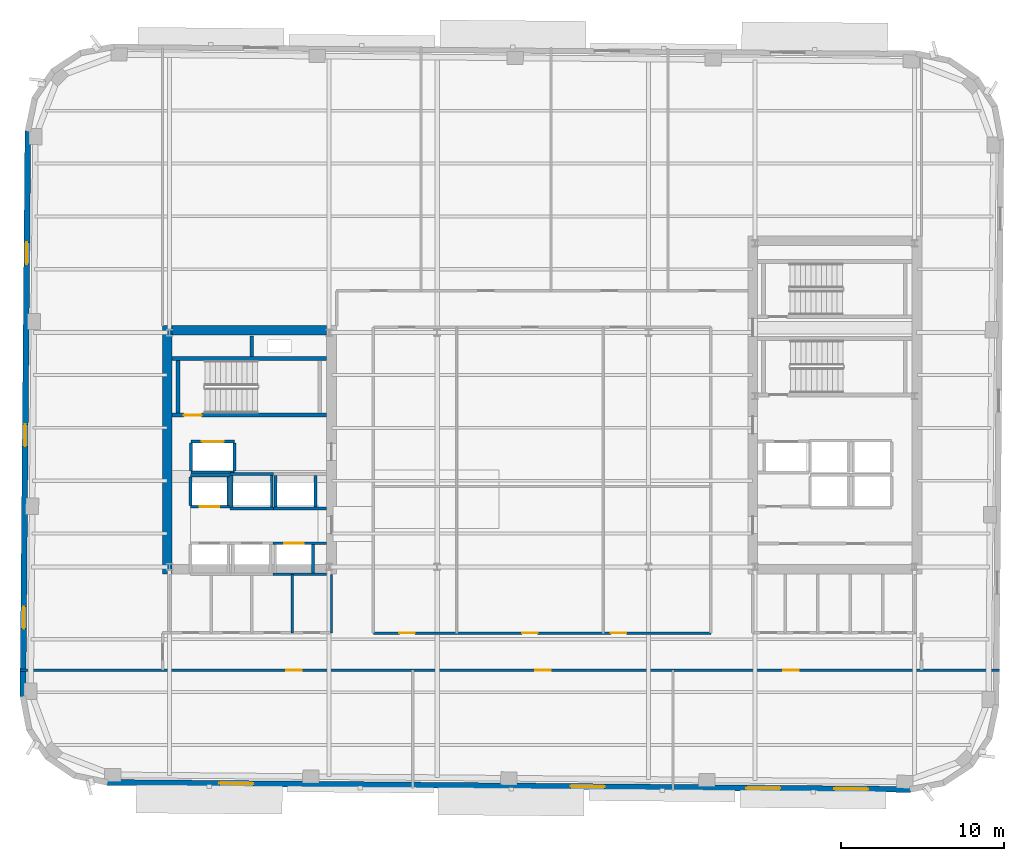
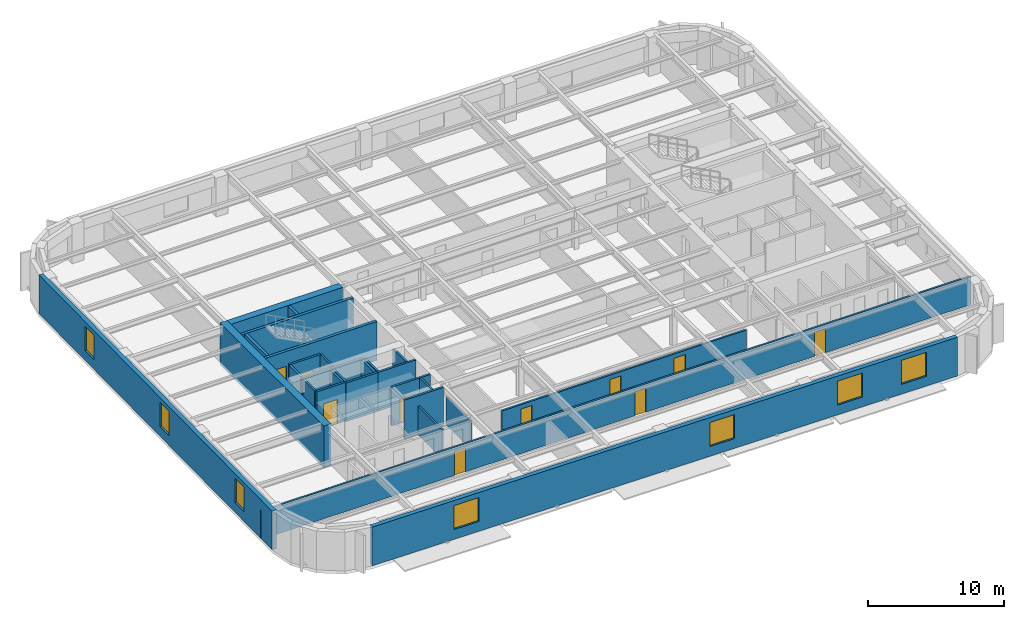
# One storey, part 4 of 12: 30 walls, 10 doors, 7 windows, 17 openings.
"""IFC4 building model written with IfcOpenShell, lengths in metres."""

from ifc_helpers import new_model, si_unit, direction, frame, frame_2d, origin, place, context, subcontext, project, spatial, rectangle, extrude, material, layer, layer_set, type_object, element, fill, save


model = new_model("IFC4")

# Units and contexts
model_context = context("Model", 3, precision=1e-05, world=origin(), true_north=direction((0.0, 1.0)))
body_context = subcontext(model_context, "Body", "Model", "MODEL_VIEW")
ifc_project = project(units=[si_unit("LENGTHUNIT", "METRE"), si_unit("AREAUNIT", "SQUARE_METRE"), si_unit("VOLUMEUNIT", "CUBIC_METRE"), si_unit("PLANEANGLEUNIT", "RADIAN"), si_unit("MASSUNIT", "GRAM", prefix="KILO")], contexts=[model_context])

# Site, building, storey
site_placement = place(None, origin())
site = spatial("IfcSite", under=ifc_project, at=site_placement, CompositionType="ELEMENT")
building_placement = place(site_placement, origin())
building = spatial("IfcBuilding", under=site, at=building_placement, Name="Kolvaren Arena Tower", CompositionType="ELEMENT")
storey_placement = place(building_placement, frame((0.0, 0.0, 188.449951171875)))
storey = spatial("IfcBuildingStorey", under=building, at=storey_placement, Name="L45", CompositionType="ELEMENT", Elevation=188.449951171875)

# Wall, openings, doors
ifc_material_1 = material(Name="Gypsum board acoustic assembly", Category="gypsum")
ifc_layer_1 = layer(ifc_material_1, 0.159912109375)
ifc_layer_set_1 = layer_set([ifc_layer_1], Name="Gypsum board acoustic assembly")
wall_type_1 = type_object("IfcWallType", Name="CORR-160", PredefinedType="PARTITIONING", material=ifc_layer_set_1)
wall_1_placement = place(storey_placement, frame((5.363525390625, 13.10009765625, 0.0), z_axis=(0.0, 0.0, 1.0), x_axis=(1.0, 0.0, 0.0)))
wall_1 = element("IfcWall", 1, at=wall_1_placement, inside=storey, type_object=wall_type_1, Name="Interior Partition Wall (L45)", PredefinedType="PARTITIONING", context=body_context, shape_type="SweptSolid", body=[
    extrude(rectangle(XDim=60.202392578125, YDim=0.159912109375, at=frame_2d((30.10107421875, 0.0))), origin(), (0.0, 0.0, 1.0), 2.5400390625),
])
opening_1_placement = place(wall_1_placement, frame((16.361328125, 0.0, 0.0)))
opening_1 = element("IfcOpeningElement", 2, at=opening_1_placement, cuts=wall_1, Name="Opening D05", PredefinedType="OPENING", context=body_context, shape_type="SweptSolid", body=[
    extrude(rectangle(XDim=0.949951171875, YDim=2.14990234375, at=frame_2d((0.47509765625, 1.074951171875))), frame((0.0, 0.08984375, 0.0), z_axis=(0.0, -1.0, 0.0), x_axis=(1.0, 0.0, 0.0)), (0.0, 0.0, 1.0), 0.179931640625),
])
opening_2_placement = place(wall_1_placement, frame((31.661376953125, 0.0, 0.0)))
opening_2 = element("IfcOpeningElement", 3, at=opening_2_placement, cuts=wall_1, Name="Opening D05", PredefinedType="OPENING", context=body_context, shape_type="SweptSolid", body=[
    extrude(rectangle(XDim=0.949951171875, YDim=2.14990234375, at=frame_2d((0.47509765625, 1.074951171875))), frame((0.0, 0.08984375, 0.0), z_axis=(0.0, -1.0, 0.0), x_axis=(1.0, 0.0, 0.0)), (0.0, 0.0, 1.0), 0.179931640625),
])
opening_3_placement = place(wall_1_placement, frame((46.911376953125, 0.0, 0.0)))
opening_3 = element("IfcOpeningElement", 4, at=opening_3_placement, cuts=wall_1, Name="Opening D05", PredefinedType="OPENING", context=body_context, shape_type="SweptSolid", body=[
    extrude(rectangle(XDim=0.949951171875, YDim=2.14990234375, at=frame_2d((0.47509765625, 1.074951171875))), frame((0.0, 0.08984375, 0.0), z_axis=(0.0, -1.0, 0.0), x_axis=(1.0, 0.0, 0.0)), (0.0, 0.0, 1.0), 0.179931640625),
])
ifc_material_2 = material(Name="Solid-core oak acoustic office door", Category="wood")
door_type_1 = type_object("IfcDoorType", Name="DOOR-OF-095", OperationType="NOTDEFINED", PredefinedType="DOOR", material=ifc_material_2)
door_1_placement = place(opening_1_placement, origin())
door_1 = element("IfcDoor", 5, at=door_1_placement, inside=storey, type_object=door_type_1, Name="Collaborative Work Studio Door (L45)", OperationType="SINGLE_SWING_LEFT", OverallHeight=2.14990234375, OverallWidth=0.949951171875, PredefinedType="DOOR", context=body_context, shape_type="SweptSolid", body=[
    extrude(rectangle(XDim=0.949951171875, YDim=2.14990234375, at=frame_2d((0.47509765625, 1.074951171875))), frame((0.0, 0.02490234375, 0.0), z_axis=(0.0, -1.0, 0.0), x_axis=(1.0, 0.0, 0.0)), (0.0, 0.0, 1.0), 0.050048828125),
])
fill(opening_1, door_1)
door_2_placement = place(opening_2_placement, origin())
door_2 = element("IfcDoor", 6, at=door_2_placement, inside=storey, type_object=door_type_1, Name="Collaborative Work Studio Door (L45)", OperationType="SINGLE_SWING_RIGHT", OverallHeight=2.14990234375, OverallWidth=0.949951171875, PredefinedType="DOOR", context=body_context, shape_type="SweptSolid", body=[
    extrude(rectangle(XDim=0.949951171875, YDim=2.14990234375, at=frame_2d((0.47509765625, 1.074951171875))), frame((0.0, 0.02490234375, 0.0), z_axis=(0.0, -1.0, 0.0), x_axis=(1.0, 0.0, 0.0)), (0.0, 0.0, 1.0), 0.050048828125),
])
fill(opening_2, door_2)
door_3_placement = place(opening_3_placement, origin())
door_3 = element("IfcDoor", 7, at=door_3_placement, inside=storey, type_object=door_type_1, Name="Wellness Room Door (L45)", OperationType="SINGLE_SWING_LEFT", OverallHeight=2.14990234375, OverallWidth=0.949951171875, PredefinedType="DOOR", context=body_context, shape_type="SweptSolid", body=[
    extrude(rectangle(XDim=0.949951171875, YDim=2.14990234375, at=frame_2d((0.47509765625, 1.074951171875))), frame((0.0, 0.02490234375, 0.0), z_axis=(0.0, -1.0, 0.0), x_axis=(1.0, 0.0, 0.0)), (0.0, 0.0, 1.0), 0.050048828125),
])
fill(opening_3, door_3)

wall_2_placement = place(storey_placement, frame((27.080078125, 15.3798828125, 0.0), z_axis=(0.0, 0.0, 1.0), x_axis=(1.0, 0.0, 0.0)))
wall_2 = element("IfcWall", 8, at=wall_2_placement, inside=storey, type_object=wall_type_1, Name="Interior Partition Wall (L45)", PredefinedType="PARTITIONING", context=body_context, shape_type="SweptSolid", body=[
    extrude(rectangle(XDim=20.739990234375, YDim=0.159912109375, at=frame_2d((10.3701171875, 0.0))), origin(), (0.0, 0.0, 1.0), 2.5400390625),
])
opening_4_placement = place(wall_2_placement, frame((1.594970703125, 0.0, 0.0)))
opening_4 = element("IfcOpeningElement", 9, at=opening_4_placement, cuts=wall_2, Name="Opening D05", PredefinedType="OPENING", context=body_context, shape_type="SweptSolid", body=[
    extrude(rectangle(XDim=0.949951171875, YDim=2.14990234375, at=frame_2d((0.47509765625, 1.074951171875))), frame((0.0, 0.08984375, 0.0), z_axis=(0.0, -1.0, 0.0), x_axis=(1.0, 0.0, 0.0)), (0.0, 0.0, 1.0), 0.179931640625),
])
opening_5_placement = place(wall_2_placement, frame((9.14501953125, 0.0, 0.0)))
opening_5 = element("IfcOpeningElement", 10, at=opening_5_placement, cuts=wall_2, Name="Opening D05", PredefinedType="OPENING", context=body_context, shape_type="SweptSolid", body=[
    extrude(rectangle(XDim=0.949951171875, YDim=2.14990234375, at=frame_2d((0.47509765625, 1.074951171875))), frame((0.0, 0.08984375, 0.0), z_axis=(0.0, -1.0, 0.0), x_axis=(1.0, 0.0, 0.0)), (0.0, 0.0, 1.0), 0.179931640625),
])
opening_6_placement = place(wall_2_placement, frame((14.594970703125, 0.0, 0.0)))
opening_6 = element("IfcOpeningElement", 11, at=opening_6_placement, cuts=wall_2, Name="Opening D05", PredefinedType="OPENING", context=body_context, shape_type="SweptSolid", body=[
    extrude(rectangle(XDim=0.949951171875, YDim=2.14990234375, at=frame_2d((0.47509765625, 1.074951171875))), frame((0.0, 0.08984375, 0.0), z_axis=(0.0, -1.0, 0.0), x_axis=(1.0, 0.0, 0.0)), (0.0, 0.0, 1.0), 0.179931640625),
])
door_4_placement = place(opening_4_placement, origin())
door_4 = element("IfcDoor", 12, at=door_4_placement, inside=storey, type_object=door_type_1, Name="Wellness Room Door (L45)", OperationType="SINGLE_SWING_LEFT", OverallHeight=2.14990234375, OverallWidth=0.949951171875, PredefinedType="DOOR", context=body_context, shape_type="SweptSolid", body=[
    extrude(rectangle(XDim=0.949951171875, YDim=2.14990234375, at=frame_2d((0.47509765625, 1.074951171875))), frame((0.0, 0.02490234375, 0.0), z_axis=(0.0, -1.0, 0.0), x_axis=(1.0, 0.0, 0.0)), (0.0, 0.0, 1.0), 0.050048828125),
])
fill(opening_4, door_4)
door_5_placement = place(opening_5_placement, origin())
door_5 = element("IfcDoor", 13, at=door_5_placement, inside=storey, type_object=door_type_1, Name="Boardroom Door (L45)", OperationType="SINGLE_SWING_LEFT", OverallHeight=2.14990234375, OverallWidth=0.949951171875, PredefinedType="DOOR", context=body_context, shape_type="SweptSolid", body=[
    extrude(rectangle(XDim=0.949951171875, YDim=2.14990234375, at=frame_2d((0.47509765625, 1.074951171875))), frame((0.0, 0.02490234375, 0.0), z_axis=(0.0, -1.0, 0.0), x_axis=(1.0, 0.0, 0.0)), (0.0, 0.0, 1.0), 0.050048828125),
])
fill(opening_5, door_5)
door_6_placement = place(opening_6_placement, origin())
door_6 = element("IfcDoor", 14, at=door_6_placement, inside=storey, type_object=door_type_1, Name="Meeting Room Door (L45)", OperationType="SINGLE_SWING_LEFT", OverallHeight=2.14990234375, OverallWidth=0.949951171875, PredefinedType="DOOR", context=body_context, shape_type="SweptSolid", body=[
    extrude(rectangle(XDim=0.949951171875, YDim=2.14990234375, at=frame_2d((0.47509765625, 1.074951171875))), frame((0.0, 0.02490234375, 0.0), z_axis=(0.0, -1.0, 0.0), x_axis=(1.0, 0.0, 0.0)), (0.0, 0.0, 1.0), 0.050048828125),
])
fill(opening_6, door_6)

# Walls
ifc_material_3 = material(Name="Concrete 60 MPa", Category="concrete")
ifc_layer_2 = layer(ifc_material_3, 0.60009765625)
ifc_layer_set_2 = layer_set([ifc_layer_2], Name="Concrete 60 MPa")
wall_type_2 = type_object("IfcWallType", Name="CWALL-600", PredefinedType="SHEAR", material=ifc_layer_set_2)
wall_3_placement = place(storey_placement, frame((14.39990234375, 19.0, -0.27001953125), z_axis=(0.0, 0.0, 1.0), x_axis=(0.0, 1.0, 0.0)))
element("IfcWall", 15, at=wall_3_placement, inside=storey, type_object=wall_type_2, Name="Core Shear Wall WC-WEST (L45)", PredefinedType="SHEAR", context=body_context, shape_type="SweptSolid", body=[
    extrude(rectangle(XDim=15.300048828125, YDim=0.60009765625, at=frame_2d((7.64990234375, 0.0))), origin(), (0.0, 0.0, 1.0), 3.75),
])
wall_4_placement = place(storey_placement, frame((14.699951171875, 34.0, -0.27001953125), z_axis=(0.0, 0.0, 1.0), x_axis=(1.0, 0.0, 0.0)))
element("IfcWall", 16, at=wall_4_placement, inside=storey, type_object=wall_type_2, Name="Core Shear Wall WC-NORTH (L45)", PredefinedType="SHEAR", context=body_context, shape_type="SweptSolid", body=[
    extrude(rectangle(XDim=9.5, YDim=0.60009765625, at=frame_2d((4.75, 0.0))), origin(), (0.0, 0.0, 1.0), 3.75),
])

# Wall, openings, windows
ifc_material_4 = material(Name="Precast concrete C50/60", Category="concrete")
ifc_layer_3 = layer(ifc_material_4, 0.360107421875)
ifc_layer_set_3 = layer_set([ifc_layer_3], Name="Precast concrete C50/60")
wall_type_3 = type_object("IfcWallType", Name="EXT-PIER2", PredefinedType="SOLIDWALL", material=ifc_layer_set_3)
wall_5_placement = place(storey_placement, frame((5.529296875, 11.461669921875, 0.0), z_axis=(0.0, 0.0, 1.0), x_axis=(0.008727287311, 0.999961916503, 0.0)))
wall_5 = element("IfcWall", 17, at=wall_5_placement, inside=storey, type_object=wall_type_3, Name="Exterior Precast Masonry-Frame Wall (L45)", PredefinedType="SOLIDWALL", context=body_context, shape_type="SweptSolid", body=[
    extrude(rectangle(XDim=34.800048828125, YDim=0.360107421875, at=frame_2d((17.39990234375, 0.0))), origin(), (0.0, 0.0, 1.0), 3.47998046875),
])
opening_7_placement = place(wall_5_placement, frame((4.199951171875, 0.0, 0.8798828125)))
opening_7 = element("IfcOpeningElement", 18, at=opening_7_placement, cuts=wall_5, Name="Opening W04", PredefinedType="OPENING", context=body_context, shape_type="SweptSolid", body=[
    extrude(rectangle(XDim=1.35009765625, YDim=2.199951171875, at=frame_2d((0.675048828125, 1.10009765625))), frame((0.0, 0.18994140625, 0.0), z_axis=(0.0, -1.0, 0.0), x_axis=(1.0, 0.0, 0.0)), (0.0, 0.0, 1.0), 0.380126953125),
])
opening_8_placement = place(wall_5_placement, frame((15.39990234375, 0.0, 0.8798828125)))
opening_8 = element("IfcOpeningElement", 19, at=opening_8_placement, cuts=wall_5, Name="Opening W04", PredefinedType="OPENING", context=body_context, shape_type="SweptSolid", body=[
    extrude(rectangle(XDim=1.35009765625, YDim=2.199951171875, at=frame_2d((0.675048828125, 1.10009765625))), frame((0.0, 0.18994140625, 0.0), z_axis=(0.0, -1.0, 0.0), x_axis=(1.0, 0.0, 0.0)), (0.0, 0.0, 1.0), 0.380126953125),
])
opening_9_placement = place(wall_5_placement, frame((26.60009765625, 0.0, 0.8798828125)))
opening_9 = element("IfcOpeningElement", 20, at=opening_9_placement, cuts=wall_5, Name="Opening W04", PredefinedType="OPENING", context=body_context, shape_type="SweptSolid", body=[
    extrude(rectangle(XDim=1.35009765625, YDim=2.199951171875, at=frame_2d((0.675048828125, 1.10009765625))), frame((0.0, 0.18994140625, 0.0), z_axis=(0.0, -1.0, 0.0), x_axis=(1.0, 0.0, 0.0)), (0.0, 0.0, 1.0), 0.380126953125),
])
ifc_material_5 = material(Name="Triple-glazed curved-facet corner window", Category="glass")
window_type_1 = type_object("IfcWindowType", Name="WIN-CRN-A", PartitioningType="SINGLE_PANEL", PredefinedType="WINDOW", material=ifc_material_5)
window_1_placement = place(opening_7_placement, origin())
window_1 = element("IfcWindow", 21, at=window_1_placement, inside=storey, type_object=window_type_1, Name="End-Wall Punched Window (L45)", OverallHeight=2.199951171875, OverallWidth=1.35009765625, PartitioningType="SINGLE_PANEL", PredefinedType="WINDOW", context=body_context, shape_type="SweptSolid", body=[
    extrude(rectangle(XDim=1.35009765625, YDim=2.199951171875, at=frame_2d((0.675048828125, 1.10009765625))), frame((0.0, 0.030029296875, 0.0), z_axis=(0.0, -1.0, 0.0), x_axis=(1.0, 0.0, 0.0)), (0.0, 0.0, 1.0), 0.06005859375),
])
fill(opening_7, window_1)
window_2_placement = place(opening_8_placement, origin())
window_2 = element("IfcWindow", 22, at=window_2_placement, inside=storey, type_object=window_type_1, Name="End-Wall Punched Window (L45)", OverallHeight=2.199951171875, OverallWidth=1.35009765625, PartitioningType="SINGLE_PANEL", PredefinedType="WINDOW", context=body_context, shape_type="SweptSolid", body=[
    extrude(rectangle(XDim=1.35009765625, YDim=2.199951171875, at=frame_2d((0.675048828125, 1.10009765625))), frame((0.0, 0.030029296875, 0.0), z_axis=(0.0, -1.0, 0.0), x_axis=(1.0, 0.0, 0.0)), (0.0, 0.0, 1.0), 0.06005859375),
])
fill(opening_8, window_2)
window_3_placement = place(opening_9_placement, origin())
window_3 = element("IfcWindow", 23, at=window_3_placement, inside=storey, type_object=window_type_1, Name="End-Wall Punched Window (L45)", OverallHeight=2.199951171875, OverallWidth=1.35009765625, PartitioningType="SINGLE_PANEL", PredefinedType="WINDOW", context=body_context, shape_type="SweptSolid", body=[
    extrude(rectangle(XDim=1.35009765625, YDim=2.199951171875, at=frame_2d((0.675048828125, 1.10009765625))), frame((0.0, 0.030029296875, 0.0), z_axis=(0.0, -1.0, 0.0), x_axis=(1.0, 0.0, 0.0)), (0.0, 0.0, 1.0), 0.06005859375),
])
fill(opening_9, window_3)

wall_6_placement = place(storey_placement, frame((60.101806640625, 5.765380859375, 0.0), z_axis=(0.0, 0.0, 1.0), x_axis=(-0.999961955436, 0.008722825272, 0.0)))
wall_6 = element("IfcWall", 24, at=wall_6_placement, inside=storey, type_object=wall_type_3, Name="Exterior Precast Masonry-Frame Wall (L45)", PredefinedType="SOLIDWALL", context=body_context, shape_type="SweptSolid", body=[
    extrude(rectangle(XDim=49.400146484375, YDim=0.360107421875, at=frame_2d((24.7001953125, 0.0))), origin(), (0.0, 0.0, 1.0), 3.47998046875),
])
opening_10_placement = place(wall_6_placement, frame((2.60009765625, 0.0, 0.8798828125)))
opening_10 = element("IfcOpeningElement", 25, at=opening_10_placement, cuts=wall_6, Name="Opening W01", PredefinedType="OPENING", context=body_context, shape_type="SweptSolid", body=[
    extrude(rectangle(XDim=2.10009765625, YDim=2.14990234375, at=frame_2d((1.050048828125, 1.074951171875))), frame((0.0, 0.18994140625, 0.0), z_axis=(0.0, -1.0, 0.0), x_axis=(1.0, 0.0, 0.0)), (0.0, 0.0, 1.0), 0.380126953125),
])
opening_11_placement = place(wall_6_placement, frame((8.0, 0.0, 0.8798828125)))
opening_11 = element("IfcOpeningElement", 26, at=opening_11_placement, cuts=wall_6, Name="Opening W01", PredefinedType="OPENING", context=body_context, shape_type="SweptSolid", body=[
    extrude(rectangle(XDim=2.10009765625, YDim=2.14990234375, at=frame_2d((1.050048828125, 1.074951171875))), frame((0.0, 0.18994140625, 0.0), z_axis=(0.0, -1.0, 0.0), x_axis=(1.0, 0.0, 0.0)), (0.0, 0.0, 1.0), 0.380126953125),
])
opening_12_placement = place(wall_6_placement, frame((18.800048828125, 0.0, 0.8798828125)))
opening_12 = element("IfcOpeningElement", 27, at=opening_12_placement, cuts=wall_6, Name="Opening W01", PredefinedType="OPENING", context=body_context, shape_type="SweptSolid", body=[
    extrude(rectangle(XDim=2.10009765625, YDim=2.14990234375, at=frame_2d((1.050048828125, 1.074951171875))), frame((0.0, 0.18994140625, 0.0), z_axis=(0.0, -1.0, 0.0), x_axis=(1.0, 0.0, 0.0)), (0.0, 0.0, 1.0), 0.380126953125),
])
opening_13_placement = place(wall_6_placement, frame((40.39990234375, 0.0, 0.8798828125)))
opening_13 = element("IfcOpeningElement", 28, at=opening_13_placement, cuts=wall_6, Name="Opening W01", PredefinedType="OPENING", context=body_context, shape_type="SweptSolid", body=[
    extrude(rectangle(XDim=2.10009765625, YDim=2.14990234375, at=frame_2d((1.050048828125, 1.074951171875))), frame((0.0, 0.18994140625, 0.0), z_axis=(0.0, -1.0, 0.0), x_axis=(1.0, 0.0, 0.0)), (0.0, 0.0, 1.0), 0.380126953125),
])
ifc_material_6 = material(Name="Triple-glazed low-E aluminium window", Category="aluminium")
window_type_2 = type_object("IfcWindowType", Name="WIN-OFF-A", PartitioningType="DOUBLE_PANEL_VERTICAL", PredefinedType="WINDOW", material=ifc_material_6)
window_4_placement = place(opening_10_placement, origin())
window_4 = element("IfcWindow", 29, at=window_4_placement, inside=storey, type_object=window_type_2, Name="Punched Precast-Pier Window (L45)", OverallHeight=2.14990234375, OverallWidth=2.10009765625, PartitioningType="DOUBLE_PANEL_VERTICAL", PredefinedType="WINDOW", context=body_context, shape_type="SweptSolid", body=[
    extrude(rectangle(XDim=2.10009765625, YDim=2.14990234375, at=frame_2d((1.050048828125, 1.074951171875))), frame((0.0, 0.030029296875, 0.0), z_axis=(0.0, -1.0, 0.0), x_axis=(1.0, 0.0, 0.0)), (0.0, 0.0, 1.0), 0.06005859375),
])
fill(opening_10, window_4)
window_5_placement = place(opening_11_placement, origin())
window_5 = element("IfcWindow", 30, at=window_5_placement, inside=storey, type_object=window_type_2, Name="Punched Precast-Pier Window (L45)", OverallHeight=2.14990234375, OverallWidth=2.10009765625, PartitioningType="DOUBLE_PANEL_VERTICAL", PredefinedType="WINDOW", context=body_context, shape_type="SweptSolid", body=[
    extrude(rectangle(XDim=2.10009765625, YDim=2.14990234375, at=frame_2d((1.050048828125, 1.074951171875))), frame((0.0, 0.030029296875, 0.0), z_axis=(0.0, -1.0, 0.0), x_axis=(1.0, 0.0, 0.0)), (0.0, 0.0, 1.0), 0.06005859375),
])
fill(opening_11, window_5)
window_6_placement = place(opening_12_placement, origin())
window_6 = element("IfcWindow", 31, at=window_6_placement, inside=storey, type_object=window_type_2, Name="Punched Precast-Pier Window (L45)", OverallHeight=2.14990234375, OverallWidth=2.10009765625, PartitioningType="DOUBLE_PANEL_VERTICAL", PredefinedType="WINDOW", context=body_context, shape_type="SweptSolid", body=[
    extrude(rectangle(XDim=2.10009765625, YDim=2.14990234375, at=frame_2d((1.050048828125, 1.074951171875))), frame((0.0, 0.030029296875, 0.0), z_axis=(0.0, -1.0, 0.0), x_axis=(1.0, 0.0, 0.0)), (0.0, 0.0, 1.0), 0.06005859375),
])
fill(opening_12, window_6)
window_7_placement = place(opening_13_placement, origin())
window_7 = element("IfcWindow", 32, at=window_7_placement, inside=storey, type_object=window_type_2, Name="Punched Precast-Pier Window (L45)", OverallHeight=2.14990234375, OverallWidth=2.10009765625, PartitioningType="DOUBLE_PANEL_VERTICAL", PredefinedType="WINDOW", context=body_context, shape_type="SweptSolid", body=[
    extrude(rectangle(XDim=2.10009765625, YDim=2.14990234375, at=frame_2d((1.050048828125, 1.074951171875))), frame((0.0, 0.030029296875, 0.0), z_axis=(0.0, -1.0, 0.0), x_axis=(1.0, 0.0, 0.0)), (0.0, 0.0, 1.0), 0.06005859375),
])
fill(opening_13, window_7)

# Wall, opening, door
ifc_material_7 = material(Name="Concrete 45 MPa", Category="concrete")
ifc_layer_4 = layer(ifc_material_7, 0.25)
ifc_layer_set_4 = layer_set([ifc_layer_4], Name="Concrete 45 MPa")
wall_type_4 = type_object("IfcWallType", Name="SHAFT-250", PredefinedType="SOLIDWALL", material=ifc_layer_set_4)
wall_7_placement = place(storey_placement, frame((24.199951171875, 28.780029296875, 0.0), z_axis=(0.0, 0.0, 1.0), x_axis=(-1.0, 0.0, 0.0)))
wall_7 = element("IfcWall", 33, at=wall_7_placement, inside=storey, type_object=wall_type_4, Name="Core Shaft Wall (L45)", PredefinedType="SOLIDWALL", context=body_context, shape_type="SweptSolid", body=[
    extrude(rectangle(XDim=9.5, YDim=0.239990234375, at=frame_2d((4.75, 0.0))), origin(), (0.0, 0.0, 1.0), 3.47998046875),
])
opening_14_placement = place(wall_7_placement, frame((7.679931640625, 0.0, 0.0)))
opening_14 = element("IfcOpeningElement", 34, at=opening_14_placement, cuts=wall_7, Name="Opening D03", PredefinedType="OPENING", context=body_context, shape_type="SweptSolid", body=[
    extrude(rectangle(XDim=1.10009765625, YDim=2.14990234375, at=frame_2d((0.550048828125, 1.074951171875))), frame((0.0, 0.1298828125, 0.0), z_axis=(0.0, -1.0, 0.0), x_axis=(1.0, 0.0, 0.0)), (0.0, 0.0, 1.0), 0.260009765625),
])
ifc_material_8 = material(Name="Fire-rated steel exit stair door", Category="steel")
door_type_2 = type_object("IfcDoorType", Name="DOOR-ST-110", OperationType="NOTDEFINED", PredefinedType="DOOR", material=ifc_material_8)
door_7_placement = place(opening_14_placement, origin())
door_7 = element("IfcDoor", 35, at=door_7_placement, inside=storey, type_object=door_type_2, Name="Stair ST-W1 Fire Door (L45)", OperationType="SINGLE_SWING_RIGHT", OverallHeight=2.14990234375, OverallWidth=1.10009765625, PredefinedType="DOOR", context=body_context, shape_type="SweptSolid", body=[
    extrude(rectangle(XDim=1.10009765625, YDim=2.14990234375, at=frame_2d((0.550048828125, 1.074951171875))), frame((0.0, 0.02490234375, 0.0), z_axis=(0.0, -1.0, 0.0), x_axis=(1.0, 0.0, 0.0)), (0.0, 0.0, 1.0), 0.050048828125),
])
fill(opening_14, door_7)

# Walls
wall_8_placement = place(storey_placement, frame((14.699951171875, 32.25, 0.0), z_axis=(0.0, 0.0, 1.0), x_axis=(1.0, 0.0, 0.0)))
element("IfcWall", 36, at=wall_8_placement, inside=storey, type_object=wall_type_4, Name="Core Shaft Wall (L45)", PredefinedType="SOLIDWALL", context=body_context, shape_type="SweptSolid", body=[
    extrude(rectangle(XDim=9.5, YDim=0.239990234375, at=frame_2d((4.75, 0.0))), origin(), (0.0, 0.0, 1.0), 3.47998046875),
])
wall_9_placement = place(storey_placement, frame((15.06005859375, 28.89990234375, 0.0), z_axis=(0.0, 0.0, 1.0), x_axis=(0.0, 1.0, 0.0)))
element("IfcWall", 37, at=wall_9_placement, inside=storey, type_object=wall_type_4, Name="Core Shaft Wall (L45)", PredefinedType="SOLIDWALL", context=body_context, shape_type="SweptSolid", body=[
    extrude(rectangle(XDim=3.22998046875, YDim=0.239990234375, at=frame_2d((1.614990234375, 0.0))), origin(), (0.0, 0.0, 1.0), 3.47998046875),
])
wall_10_placement = place(storey_placement, frame((19.60009765625, 32.3701171875, 0.0), z_axis=(0.0, 0.0, 1.0), x_axis=(0.0, 1.0, 0.0)))
element("IfcWall", 38, at=wall_10_placement, inside=storey, type_object=wall_type_4, Name="Core Shaft Wall (L45)", PredefinedType="SOLIDWALL", context=body_context, shape_type="SweptSolid", body=[
    extrude(rectangle(XDim=1.27978515625, YDim=0.199951171875, at=frame_2d((0.639892578125, 0.0))), origin(), (0.0, 0.0, 1.0), 3.47998046875),
])

# Wall, opening, door
wall_11_placement = place(storey_placement, frame((20.89990234375, 20.905029296875, 0.0), z_axis=(0.0, 0.0, 1.0), x_axis=(1.0, 0.0, 0.0)))
wall_11 = element("IfcWall", 39, at=wall_11_placement, inside=storey, type_object=wall_type_4, Name="Core Shaft Wall (L45)", PredefinedType="SOLIDWALL", context=body_context, shape_type="SweptSolid", body=[
    extrude(rectangle(XDim=3.300048828125, YDim=0.179931640625, at=frame_2d((1.64990234375, 0.0))), origin(), (0.0, 0.0, 1.0), 3.47998046875),
])
opening_15_placement = place(wall_11_placement, frame((0.699951171875, 0.0, 0.0)))
opening_15 = element("IfcOpeningElement", 40, at=opening_15_placement, cuts=wall_11, Name="Opening LD1", PredefinedType="OPENING", context=body_context, shape_type="SweptSolid", body=[
    extrude(rectangle(XDim=1.199951171875, YDim=2.199951171875, at=frame_2d((0.60009765625, 1.10009765625))), frame((0.0, 0.099853515625, 0.0), z_axis=(0.0, -1.0, 0.0), x_axis=(1.0, 0.0, 0.0)), (0.0, 0.0, 1.0), 0.199951171875),
])
ifc_material_9 = material(Name="Stainless steel passenger lift landing door", Category="steel")
door_type_3 = type_object("IfcDoorType", Name="DOOR-LD-120", OperationType="DOUBLE_DOOR_SLIDING", PredefinedType="DOOR", material=ifc_material_9)
door_8_placement = place(opening_15_placement, origin())
door_8 = element("IfcDoor", 41, at=door_8_placement, inside=storey, type_object=door_type_3, Name="Lift EL-MR3 Landing Door (L45)", OperationType="DOUBLE_DOOR_SLIDING", OverallHeight=2.199951171875, OverallWidth=1.199951171875, PredefinedType="DOOR", context=body_context, shape_type="SweptSolid", body=[
    extrude(rectangle(XDim=1.199951171875, YDim=2.199951171875, at=frame_2d((0.60009765625, 1.10009765625))), frame((0.0, 0.02490234375, 0.0), z_axis=(0.0, -1.0, 0.0), x_axis=(1.0, 0.0, 0.0)), (0.0, 0.0, 1.0), 0.050048828125),
])
fill(opening_15, door_8)

# Walls
wall_12_placement = place(storey_placement, frame((20.89990234375, 18.9951171875, 0.0), z_axis=(0.0, 0.0, 1.0), x_axis=(1.0, 0.0, 0.0)))
element("IfcWall", 42, at=wall_12_placement, inside=storey, type_object=wall_type_4, Name="Core Shaft Wall (L45)", PredefinedType="SOLIDWALL", context=body_context, shape_type="SweptSolid", body=[
    extrude(rectangle(XDim=3.300048828125, YDim=0.179931640625, at=frame_2d((1.64990234375, 0.0))), origin(), (0.0, 0.0, 1.0), 3.47998046875),
])
wall_13_placement = place(storey_placement, frame((23.35498046875, 19.0849609375, 0.0), z_axis=(0.0, 0.0, 1.0), x_axis=(0.0, 1.0, 0.0)))
element("IfcWall", 43, at=wall_13_placement, inside=storey, type_object=wall_type_4, Name="Core Shaft Wall (L45)", PredefinedType="SOLIDWALL", context=body_context, shape_type="SweptSolid", body=[
    extrude(rectangle(XDim=1.72998046875, YDim=0.179931640625, at=frame_2d((0.864990234375, 0.0))), origin(), (0.0, 0.0, 1.0), 3.47998046875),
])
wall_14_placement = place(storey_placement, frame((15.844970703125, 25.054931640625, 0.0), z_axis=(0.0, 0.0, 1.0), x_axis=(1.0, 0.0, 0.0)))
element("IfcWall", 44, at=wall_14_placement, inside=storey, type_object=wall_type_4, Name="Core Shaft Wall (L45)", PredefinedType="SOLIDWALL", context=body_context, shape_type="SweptSolid", body=[
    extrude(rectangle(XDim=2.41748046875, YDim=0.179931640625, at=frame_2d((1.208740234375, 0.0))), origin(), (0.0, 0.0, 1.0), 3.47998046875),
])

# Wall, opening, door
wall_15_placement = place(storey_placement, frame((15.844970703125, 23.14501953125, 0.0), z_axis=(0.0, 0.0, 1.0), x_axis=(1.0, 0.0, 0.0)))
wall_15 = element("IfcWall", 45, at=wall_15_placement, inside=storey, type_object=wall_type_4, Name="Core Shaft Wall (L45)", PredefinedType="SOLIDWALL", context=body_context, shape_type="SweptSolid", body=[
    extrude(rectangle(XDim=2.41748046875, YDim=0.179931640625, at=frame_2d((1.208740234375, 0.0))), origin(), (0.0, 0.0, 1.0), 3.47998046875),
])
opening_16_placement = place(wall_15_placement, frame((0.554931640625, 0.0, 0.0)))
opening_16 = element("IfcOpeningElement", 46, at=opening_16_placement, cuts=wall_15, Name="Opening LD1", PredefinedType="OPENING", context=body_context, shape_type="SweptSolid", body=[
    extrude(rectangle(XDim=1.199951171875, YDim=2.199951171875, at=frame_2d((0.60009765625, 1.10009765625))), frame((0.0, 0.099853515625, 0.0), z_axis=(0.0, -1.0, 0.0), x_axis=(1.0, 0.0, 0.0)), (0.0, 0.0, 1.0), 0.199951171875),
])
door_9_placement = place(opening_16_placement, origin())
door_9 = element("IfcDoor", 47, at=door_9_placement, inside=storey, type_object=door_type_3, Name="Lift EL-MR4 Landing Door (L45)", OperationType="DOUBLE_DOOR_SLIDING", OverallHeight=2.199951171875, OverallWidth=1.199951171875, PredefinedType="DOOR", context=body_context, shape_type="SweptSolid", body=[
    extrude(rectangle(XDim=1.199951171875, YDim=2.199951171875, at=frame_2d((0.60009765625, 1.10009765625))), frame((0.0, 0.02490234375, 0.0), z_axis=(0.0, -1.0, 0.0), x_axis=(1.0, 0.0, 0.0)), (0.0, 0.0, 1.0), 0.050048828125),
])
fill(opening_16, door_9)

# Walls
for number, where, z_axis, x_axis, name in (
    (48, (15.844970703125, 23.235107421875, 0.0), (0.0, 0.0, 1.0), (0.0, 1.0, 0.0), "Core Shaft Wall (L45)"),
    (49, (18.155029296875, 23.235107421875, 0.0), (0.0, 0.0, 1.0), (0.0, 1.0, 0.0), "Core Shaft Wall (L45)"),
):
    element("IfcWall", number, at=place(storey_placement, frame(where, z_axis=z_axis, x_axis=x_axis)), inside=storey, type_object=wall_type_4, Name=name, PredefinedType="SOLIDWALL", context=body_context, shape_type="SweptSolid", body=[
        extrude(rectangle(XDim=1.72998046875, YDim=0.179931640625, at=frame_2d((0.864990234375, 0.0))), origin(), (0.0, 0.0, 1.0), 3.47998046875),
    ])
for number, where, z_axis, x_axis, name in (
    (50, (18.262451171875, 25.155029296875, 0.0), (0.0, 0.0, 1.0), (1.0, 0.0, 0.0), "Core Shaft Wall (L45)"),
    (51, (18.262451171875, 23.044921875, 0.0), (0.0, 0.0, 1.0), (1.0, 0.0, 0.0), "Core Shaft Wall (L45)"),
):
    element("IfcWall", number, at=place(storey_placement, frame(where, z_axis=z_axis, x_axis=x_axis)), inside=storey, type_object=wall_type_4, Name=name, PredefinedType="SOLIDWALL", context=body_context, shape_type="SweptSolid", body=[
        extrude(rectangle(XDim=2.6875, YDim=0.179931640625, at=frame_2d((1.34375, 0.0))), origin(), (0.0, 0.0, 1.0), 3.47998046875),
    ])
for number, where, z_axis, x_axis, name in (
    (52, (18.3701171875, 23.135009765625, 0.0), (0.0, 0.0, 1.0), (0.0, 1.0, 0.0), "Core Shaft Wall (L45)"),
    (53, (20.830078125, 23.135009765625, 0.0), (0.0, 0.0, 1.0), (0.0, 1.0, 0.0), "Core Shaft Wall (L45)"),
):
    element("IfcWall", number, at=place(storey_placement, frame(where, z_axis=z_axis, x_axis=x_axis)), inside=storey, type_object=wall_type_4, Name=name, PredefinedType="SOLIDWALL", context=body_context, shape_type="SweptSolid", body=[
        extrude(rectangle(XDim=1.929931640625, YDim=0.179931640625, at=frame_2d((0.96484375, 0.0))), origin(), (0.0, 0.0, 1.0), 3.47998046875),
    ])
wall_16_placement = place(storey_placement, frame((20.949951171875, 23.044921875, 0.0), z_axis=(0.0, 0.0, 1.0), x_axis=(1.0, 0.0, 0.0)))
element("IfcWall", 54, at=wall_16_placement, inside=storey, type_object=wall_type_4, Name="Core Shaft Wall (L45)", PredefinedType="SOLIDWALL", context=body_context, shape_type="SweptSolid", body=[
    extrude(rectangle(XDim=3.25, YDim=0.179931640625, at=frame_2d((1.625, 0.0))), origin(), (0.0, 0.0, 1.0), 3.47998046875),
])
for number, where, z_axis, x_axis, name in (
    (55, (21.070068359375, 23.135009765625, 0.0), (0.0, 0.0, 1.0), (0.0, 1.0, 0.0), "Core Shaft Wall (L45)"),
    (56, (23.530029296875, 23.135009765625, 0.0), (0.0, 0.0, 1.0), (0.0, 1.0, 0.0), "Core Shaft Wall (L45)"),
):
    element("IfcWall", number, at=place(storey_placement, frame(where, z_axis=z_axis, x_axis=x_axis)), inside=storey, type_object=wall_type_4, Name=name, PredefinedType="SOLIDWALL", context=body_context, shape_type="SweptSolid", body=[
        extrude(rectangle(XDim=1.929931640625, YDim=0.179931640625, at=frame_2d((0.96484375, 0.0))), origin(), (0.0, 0.0, 1.0), 3.47998046875),
    ])

# Wall, opening, door
wall_17_placement = place(storey_placement, frame((15.8701171875, 27.155029296875, 0.0), z_axis=(0.0, 0.0, 1.0), x_axis=(1.0, 0.0, 0.0)))
wall_17 = element("IfcWall", 57, at=wall_17_placement, inside=storey, type_object=wall_type_4, Name="Core Shaft Wall (L45)", PredefinedType="SOLIDWALL", context=body_context, shape_type="SweptSolid", body=[
    extrude(rectangle(XDim=2.659912109375, YDim=0.179931640625, at=frame_2d((1.330078125, 0.0))), origin(), (0.0, 0.0, 1.0), 3.47998046875),
])
opening_17_placement = place(wall_17_placement, frame((0.655029296875, 0.0, 0.0)))
opening_17 = element("IfcOpeningElement", 58, at=opening_17_placement, cuts=wall_17, Name="Opening LD2", PredefinedType="OPENING", context=body_context, shape_type="SweptSolid", body=[
    extrude(rectangle(XDim=1.35009765625, YDim=2.300048828125, at=frame_2d((0.675048828125, 1.14990234375))), frame((0.0, 0.099853515625, 0.0), z_axis=(0.0, -1.0, 0.0), x_axis=(1.0, 0.0, 0.0)), (0.0, 0.0, 1.0), 0.199951171875),
])
ifc_material_10 = material(Name="Stainless steel firefighter lift landing door", Category="steel")
door_type_4 = type_object("IfcDoorType", Name="DOOR-LD-135", OperationType="DOUBLE_DOOR_SLIDING", PredefinedType="DOOR", material=ifc_material_10)
door_10_placement = place(opening_17_placement, origin())
door_10 = element("IfcDoor", 59, at=door_10_placement, inside=storey, type_object=door_type_4, Name="Firefighter Lift FF-W1 Landing Door (L45)", OperationType="DOUBLE_DOOR_SLIDING", OverallHeight=2.300048828125, OverallWidth=1.35009765625, PredefinedType="DOOR", context=body_context, shape_type="SweptSolid", body=[
    extrude(rectangle(XDim=1.35009765625, YDim=2.300048828125, at=frame_2d((0.675048828125, 1.14990234375))), frame((0.0, 0.02490234375, 0.0), z_axis=(0.0, -1.0, 0.0), x_axis=(1.0, 0.0, 0.0)), (0.0, 0.0, 1.0), 0.050048828125),
])
fill(opening_17, door_10)

# Walls
wall_18_placement = place(storey_placement, frame((15.8701171875, 25.2451171875, 0.0), z_axis=(0.0, 0.0, 1.0), x_axis=(1.0, 0.0, 0.0)))
element("IfcWall", 60, at=wall_18_placement, inside=storey, type_object=wall_type_4, Name="Core Shaft Wall (L45)", PredefinedType="SOLIDWALL", context=body_context, shape_type="SweptSolid", body=[
    extrude(rectangle(XDim=2.659912109375, YDim=0.179931640625, at=frame_2d((1.330078125, 0.0))), origin(), (0.0, 0.0, 1.0), 3.47998046875),
])
for number, where, z_axis, x_axis, name in (
    (61, (15.8701171875, 25.3349609375, 0.0), (0.0, 0.0, 1.0), (0.0, 1.0, 0.0), "Core Shaft Wall (L45)"),
    (62, (18.530029296875, 25.3349609375, 0.0), (0.0, 0.0, 1.0), (0.0, 1.0, 0.0), "Core Shaft Wall (L45)"),
):
    element("IfcWall", number, at=place(storey_placement, frame(where, z_axis=z_axis, x_axis=x_axis)), inside=storey, type_object=wall_type_4, Name=name, PredefinedType="SOLIDWALL", context=body_context, shape_type="SweptSolid", body=[
        extrude(rectangle(XDim=1.72998046875, YDim=0.179931640625, at=frame_2d((0.864990234375, 0.0))), origin(), (0.0, 0.0, 1.0), 3.47998046875),
    ])
ifc_material_11 = material(Name="Moisture-resistant gypsum assembly", Category="gypsum")
ifc_layer_5 = layer(ifc_material_11, 0.14990234375)
ifc_layer_set_5 = layer_set([ifc_layer_5], Name="Moisture-resistant gypsum assembly")
wall_type_5 = type_object("IfcWallType", Name="WETW-150", PredefinedType="PARTITIONING", material=ifc_layer_set_5)
for number, where, z_axis, x_axis, name in (
    (63, (22.10009765625, 15.39990234375, 0.0), (0.0, 0.0, 1.0), (0.0, 1.0, 0.0), "Interior Partition Wall (L45)"),
    (64, (24.5, 15.39990234375, 0.0), (0.0, 0.0, 1.0), (0.0, 1.0, 0.0), "Interior Partition Wall (L45)"),
):
    element("IfcWall", number, at=place(storey_placement, frame(where, z_axis=z_axis, x_axis=x_axis)), inside=storey, type_object=wall_type_5, Name=name, PredefinedType="PARTITIONING", context=body_context, shape_type="SweptSolid", body=[
        extrude(rectangle(XDim=3.580078125, YDim=0.14990234375, at=frame_2d((1.7900390625, 0.0))), origin(), (0.0, 0.0, 1.0), 2.5400390625),
    ])

save(model, "model.ifc")
